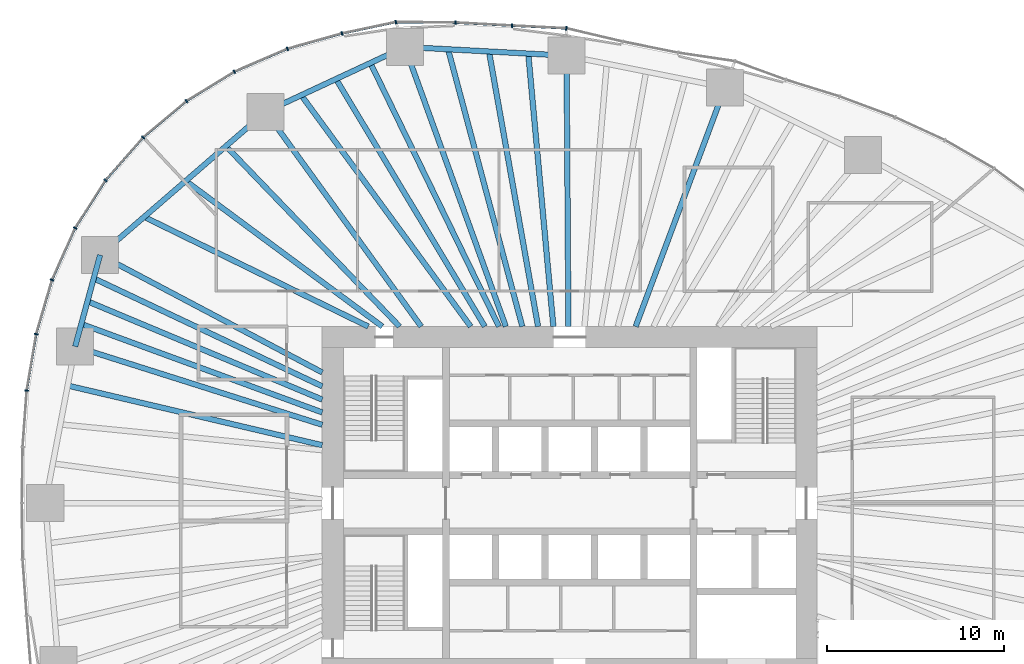
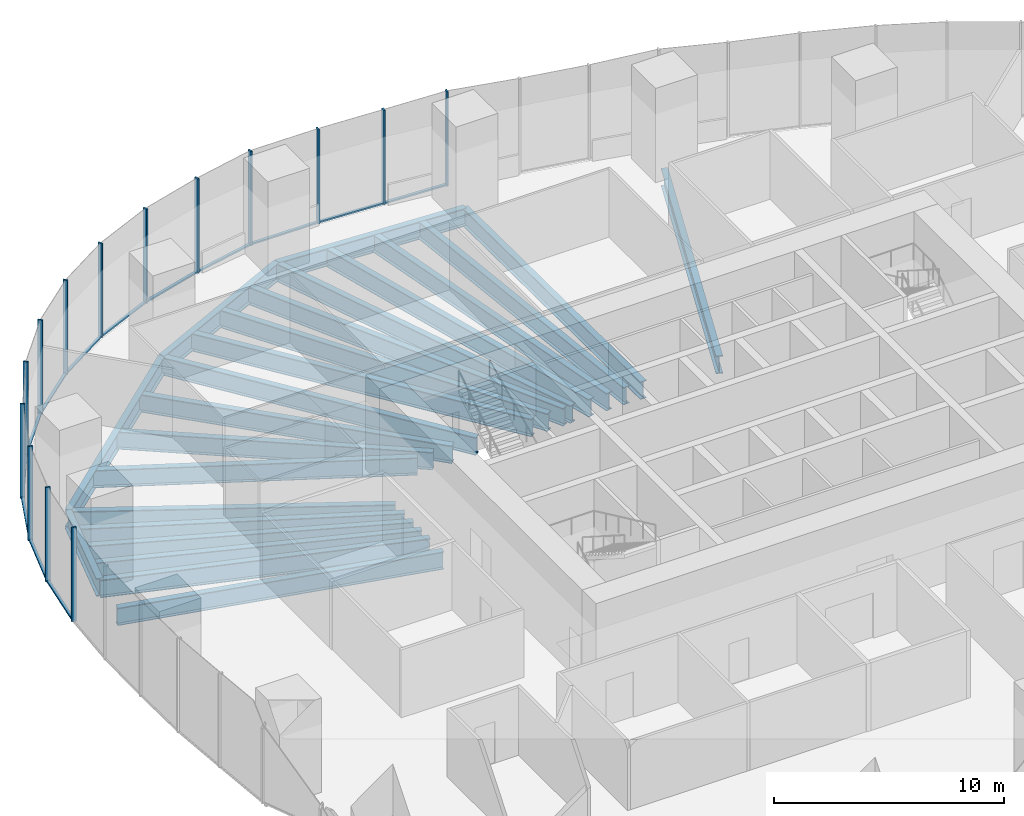
# One storey, part 5 of 20: 27 members, 23 beams, 5 elements without a shape of their own.
"""IFC4 building model written with IfcOpenShell, lengths in metres."""

from ifc_helpers import new_model, si_unit, direction, frame, origin, origin_2d, place, context, subcontext, project, spatial, rectangle, i_section, extrude, material, material_profile, profile_set, type_object, element, aggregate, save


model = new_model("IFC4")

# Units and contexts
model_context = context("Model", 3, precision=1e-05, world=origin(), true_north=direction((0.0, 1.0)))
body_context = subcontext(model_context, "Body", "Model", "MODEL_VIEW")
ifc_project = project(units=[si_unit("LENGTHUNIT", "METRE"), si_unit("AREAUNIT", "SQUARE_METRE"), si_unit("VOLUMEUNIT", "CUBIC_METRE"), si_unit("PLANEANGLEUNIT", "RADIAN"), si_unit("MASSUNIT", "GRAM", prefix="KILO")], contexts=[model_context])

# Site, building, storey
site_placement = place(None, origin())
site = spatial("IfcSite", under=ifc_project, at=site_placement, CompositionType="ELEMENT")
building_placement = place(site_placement, origin())
building = spatial("IfcBuilding", under=site, at=building_placement, Name="Ghaith Harvest Tower", CompositionType="ELEMENT")
storey_placement = place(building_placement, frame((0.0, 0.0, 35.0)))
storey = spatial("IfcBuildingStorey", under=building, at=storey_placement, Name="L07", CompositionType="ELEMENT", Elevation=35.0)

# Curtain wall, members
ifc_material_1 = material(Name="Black anodised aluminium and fritted glass", Category="aluminium")
curtain_wall_type = type_object("IfcCurtainWallType", Name="CW-F CURTAIN WALL", PredefinedType="NOTDEFINED", material=ifc_material_1)
curtain_wall_1_placement = place(storey_placement, origin())
curtain_wall_1 = element("IfcCurtainWall", 1, at=curtain_wall_1_placement, inside=storey, type_object=curtain_wall_type, Name="Curtain wall CW-F bay 06 L07", PredefinedType="NOTDEFINED")
ifc_material_2 = material(Name="Aluminium, black anodised", Category="aluminium")
ifc_material_profile_1 = material_profile(ifc_material_2, rectangle(XDim=0.080078125, YDim=0.219970703125, at=origin_2d()), Name="CW-F MULLION 80x220")
ifc_profile_set_1 = profile_set([ifc_material_profile_1], Name="Aluminium, black anodised")
member_type_1 = type_object("IfcMemberType", Name="CW-F MULLION 80x220", PredefinedType="MULLION", material=ifc_profile_set_1)
member_1_placement = place(storey_placement, frame((-0.183837890625, 26.877197265625, 0.0), z_axis=(0.0, 0.0, 1.0), x_axis=(-0.98971187143, 0.143074845976, 0.0)))
member_1 = element("IfcMember", 2, at=member_1_placement, type_object=member_type_1, Name="CW-F mullion 1 bay 06 L07", PredefinedType="MULLION", context=body_context, shape_type="SweptSolid", body=[
    extrude(rectangle(XDim=0.080078125, YDim=0.219970703125, at=origin_2d()), origin(), (0.0, 0.0, 1.0), 5.0),
])
member_2_placement = place(storey_placement, frame((-3.261962890625, 27.02978515625, 0.0), z_axis=(0.0, 0.0, 1.0), x_axis=(-0.998666923291, 0.051617597049, 0.0)))
member_2 = element("IfcMember", 3, at=member_2_placement, type_object=member_type_1, Name="CW-F mullion 2 bay 06 L07", PredefinedType="MULLION", context=body_context, shape_type="SweptSolid", body=[
    extrude(rectangle(XDim=0.080078125, YDim=0.219970703125, at=origin_2d()), origin(), (0.0, 0.0, 1.0), 5.0),
])
member_3_placement = place(storey_placement, frame((-6.465087890625, 27.20166015625, 0.0), z_axis=(0.0, 0.0, 1.0), x_axis=(-0.999527102163, 0.030750155138, 0.0)))
member_3 = element("IfcMember", 4, at=member_3_placement, type_object=member_type_1, Name="CW-F mullion 3 bay 06 L07", PredefinedType="MULLION", context=body_context, shape_type="SweptSolid", body=[
    extrude(rectangle(XDim=0.080078125, YDim=0.219970703125, at=origin_2d()), origin(), (0.0, 0.0, 1.0), 5.0),
])

curtain_wall_2_placement = place(storey_placement, origin())
curtain_wall_2 = element("IfcCurtainWall", 5, at=curtain_wall_2_placement, inside=storey, type_object=curtain_wall_type, Name="Curtain wall CW-F bay 07 L07", PredefinedType="NOTDEFINED")
member_4_placement = place(storey_placement, frame((-9.835693359375, 27.232177734375, 0.0), z_axis=(0.0, 0.0, 1.0), x_axis=(-0.995408459337, -0.095718332001, 0.0)))
member_4 = element("IfcMember", 6, at=member_4_placement, type_object=member_type_1, Name="CW-F mullion 1 bay 07 L07", PredefinedType="MULLION", context=body_context, shape_type="SweptSolid", body=[
    extrude(rectangle(XDim=0.080078125, YDim=0.219970703125, at=origin_2d()), origin(), (0.0, 0.0, 1.0), 5.0),
])
member_5_placement = place(storey_placement, frame((-12.880615234375, 26.5849609375, 0.0), z_axis=(0.0, 0.0, 1.0), x_axis=(-0.970824511782, -0.239791091, 0.0)))
member_5 = element("IfcMember", 7, at=member_5_placement, type_object=member_type_1, Name="CW-F mullion 2 bay 07 L07", PredefinedType="MULLION", context=body_context, shape_type="SweptSolid", body=[
    extrude(rectangle(XDim=0.080078125, YDim=0.219970703125, at=origin_2d()), origin(), (0.0, 0.0, 1.0), 5.0),
])
member_6_placement = place(storey_placement, frame((-15.97119140625, 25.716552734375, 0.0), z_axis=(0.0, 0.0, 1.0), x_axis=(-0.942293550527, -0.334787790451, 0.0)))
member_6 = element("IfcMember", 8, at=member_6_placement, type_object=member_type_1, Name="CW-F mullion 3 bay 07 L07", PredefinedType="MULLION", context=body_context, shape_type="SweptSolid", body=[
    extrude(rectangle(XDim=0.080078125, YDim=0.219970703125, at=origin_2d()), origin(), (0.0, 0.0, 1.0), 5.0),
])

curtain_wall_3_placement = place(storey_placement, origin())
curtain_wall_3 = element("IfcCurtainWall", 9, at=curtain_wall_3_placement, inside=storey, type_object=curtain_wall_type, Name="Curtain wall CW-F bay 08 L07", PredefinedType="NOTDEFINED")
member_7_placement = place(storey_placement, frame((-18.96728515625, 24.42236328125, 0.0), z_axis=(0.0, 0.0, 1.0), x_axis=(-0.887912253252, -0.460012859086, 0.0)))
member_7 = element("IfcMember", 10, at=member_7_placement, type_object=member_type_1, Name="CW-F mullion 1 bay 08 L07", PredefinedType="MULLION", context=body_context, shape_type="SweptSolid", body=[
    extrude(rectangle(XDim=0.080078125, YDim=0.219970703125, at=origin_2d()), origin(), (0.0, 0.0, 1.0), 5.0),
])
member_8_placement = place(storey_placement, frame((-21.681640625, 22.758056640625, 0.0), z_axis=(0.0, 0.0, 1.0), x_axis=(-0.811400750439, -0.584490224202, 0.0)))
member_8 = element("IfcMember", 11, at=member_8_placement, type_object=member_type_1, Name="CW-F mullion 2 bay 08 L07", PredefinedType="MULLION", context=body_context, shape_type="SweptSolid", body=[
    extrude(rectangle(XDim=0.080078125, YDim=0.219970703125, at=origin_2d()), origin(), (0.0, 0.0, 1.0), 5.0),
])
member_9_placement = place(storey_placement, frame((-24.139404296875, 20.696533203125, 0.0), z_axis=(0.0, 0.0, 1.0), x_axis=(-0.714663248213, -0.699468685256, 0.0)))
member_9 = element("IfcMember", 12, at=member_9_placement, type_object=member_type_1, Name="CW-F mullion 3 bay 08 L07", PredefinedType="MULLION", context=body_context, shape_type="SweptSolid", body=[
    extrude(rectangle(XDim=0.080078125, YDim=0.219970703125, at=origin_2d()), origin(), (0.0, 0.0, 1.0), 5.0),
])

curtain_wall_4_placement = place(storey_placement, origin())
curtain_wall_4 = element("IfcCurtainWall", 13, at=curtain_wall_4_placement, inside=storey, type_object=curtain_wall_type, Name="Curtain wall CW-F bay 09 L07", PredefinedType="NOTDEFINED")
member_10_placement = place(storey_placement, frame((-26.26318359375, 18.274169921875, 0.0), z_axis=(0.0, 0.0, 1.0), x_axis=(-0.599861600644, -0.800103780814, 0.0)))
member_10 = element("IfcMember", 14, at=member_10_placement, type_object=member_type_1, Name="CW-F mullion 1 bay 09 L07", PredefinedType="MULLION", context=body_context, shape_type="SweptSolid", body=[
    extrude(rectangle(XDim=0.080078125, YDim=0.219970703125, at=origin_2d()), origin(), (0.0, 0.0, 1.0), 5.0),
])
member_11_placement = place(storey_placement, frame((-27.986328125, 15.5654296875, 0.0), z_axis=(0.0, 0.0, 1.0), x_axis=(-0.473265082758, -0.880920065297, 0.0)))
member_11 = element("IfcMember", 15, at=member_11_placement, type_object=member_type_1, Name="CW-F mullion 2 bay 09 L07", PredefinedType="MULLION", context=body_context, shape_type="SweptSolid", body=[
    extrude(rectangle(XDim=0.080078125, YDim=0.219970703125, at=origin_2d()), origin(), (0.0, 0.0, 1.0), 5.0),
])
member_12_placement = place(storey_placement, frame((-29.29248046875, 12.63525390625, 0.0), z_axis=(0.0, 0.0, 1.0), x_axis=(-0.344618322502, -0.938742889079, 0.0)))
member_12 = element("IfcMember", 16, at=member_12_placement, type_object=member_type_1, Name="CW-F mullion 3 bay 09 L07", PredefinedType="MULLION", context=body_context, shape_type="SweptSolid", body=[
    extrude(rectangle(XDim=0.080078125, YDim=0.219970703125, at=origin_2d()), origin(), (0.0, 0.0, 1.0), 5.0),
])

curtain_wall_5_placement = place(storey_placement, origin())
curtain_wall_5 = element("IfcCurtainWall", 17, at=curtain_wall_5_placement, inside=storey, type_object=curtain_wall_type, Name="Curtain wall CW-F bay 10 L07", PredefinedType="NOTDEFINED")
member_13_placement = place(storey_placement, frame((-30.1884765625, 9.567138671875, 0.0), z_axis=(0.0, 0.0, 1.0), x_axis=(-0.222967363645, -0.97482590997, 0.0)))
member_13 = element("IfcMember", 18, at=member_13_placement, type_object=member_type_1, Name="CW-F mullion 1 bay 10 L07", PredefinedType="MULLION", context=body_context, shape_type="SweptSolid", body=[
    extrude(rectangle(XDim=0.080078125, YDim=0.219970703125, at=origin_2d()), origin(), (0.0, 0.0, 1.0), 5.0),
])
member_14_placement = place(storey_placement, frame((-30.724365234375, 6.37548828125, 0.0), z_axis=(0.0, 0.0, 1.0), x_axis=(-0.119352816132, -0.99285190501, 0.0)))
member_14 = element("IfcMember", 19, at=member_14_placement, type_object=member_type_1, Name="CW-F mullion 2 bay 10 L07", PredefinedType="MULLION", context=body_context, shape_type="SweptSolid", body=[
    extrude(rectangle(XDim=0.080078125, YDim=0.219970703125, at=origin_2d()), origin(), (0.0, 0.0, 1.0), 5.0),
])

# Member
ifc_material_3 = material(Name="Aluminium, black anodised", Category="aluminium")
ifc_material_profile_2 = material_profile(ifc_material_3, rectangle(XDim=0.139892578125, YDim=0.080078125, at=origin_2d()), Name="CW-F TRANSOM 140x80")
ifc_profile_set_2 = profile_set([ifc_material_profile_2], Name="Aluminium, black anodised")
member_type_2 = type_object("IfcMemberType", Name="CW-F TRANSOM 140x80", PredefinedType="USERDEFINED", material=ifc_profile_set_2)
member_15_placement = place(storey_placement, frame((-0.223876953125, 26.879150390625, 0.0400390625), z_axis=(-0.998772539109, 0.049531960612, 0.0), x_axis=(-0.049531960612, -0.998772539109, 0.0)))
member_15 = element("IfcMember", 20, at=member_15_placement, type_object=member_type_2, Name="CW-F transom 1 bay 06 L07", ObjectType="TRANSOM", PredefinedType="USERDEFINED", context=body_context, shape_type="SweptSolid", body=[
    extrude(rectangle(XDim=0.139892578125, YDim=0.080078125, at=origin_2d()), origin(), (0.0, 0.0, 1.0), 3.001708984375),
])

member_16_placement = place(storey_placement, frame((-3.3017578125, 27.031982421875, 0.0400390625), z_axis=(-0.99856142387, 0.053619798202, 0.0), x_axis=(-0.053619798202, -0.99856142387, 0.0)))
member_16 = element("IfcMember", 21, at=member_16_placement, type_object=member_type_2, Name="CW-F transom 2 bay 06 L07", ObjectType="TRANSOM", PredefinedType="USERDEFINED", context=body_context, shape_type="SweptSolid", body=[
    extrude(rectangle(XDim=0.139892578125, YDim=0.080078125, at=origin_2d()), origin(), (0.0, 0.0, 1.0), 3.1279296875),
])

member_17_placement = place(storey_placement, frame((-6.505126953125, 27.2021484375, 0.0400390625), z_axis=(-0.999959703847, 0.008977231352, 0.0), x_axis=(-0.008977231352, -0.999959703847, 0.0)))
member_17 = element("IfcMember", 22, at=member_17_placement, type_object=member_type_2, Name="CW-F transom 3 bay 06 L07", ObjectType="TRANSOM", PredefinedType="USERDEFINED", context=body_context, shape_type="SweptSolid", body=[
    extrude(rectangle(XDim=0.139892578125, YDim=0.080078125, at=origin_2d()), origin(), (0.0, 0.0, 1.0), 3.290771484375),
])

aggregate(curtain_wall_1, [member_1, member_15, member_2, member_16, member_3, member_17])

member_18_placement = place(storey_placement, frame((-9.874755859375, 27.2236328125, 0.0400390625), z_axis=(-0.978160283029, -0.207852016359, 0.0), x_axis=(0.207852016359, -0.978160283029, 0.0)))
member_18 = element("IfcMember", 23, at=member_18_placement, type_object=member_type_2, Name="CW-F transom 1 bay 07 L07", ObjectType="TRANSOM", PredefinedType="USERDEFINED", context=body_context, shape_type="SweptSolid", body=[
    extrude(rectangle(XDim=0.139892578125, YDim=0.080078125, at=origin_2d()), origin(), (0.0, 0.0, 1.0), 3.03271484375),
])

member_19_placement = place(storey_placement, frame((-12.9189453125, 26.573974609375, 0.0400390625), z_axis=(-0.962727128991, -0.270474536888, 0.0), x_axis=(0.270474536888, -0.962727128991, 0.0)))
member_19 = element("IfcMember", 24, at=member_19_placement, type_object=member_type_2, Name="CW-F transom 2 bay 07 L07", ObjectType="TRANSOM", PredefinedType="USERDEFINED", context=body_context, shape_type="SweptSolid", body=[
    extrude(rectangle(XDim=0.139892578125, YDim=0.080078125, at=origin_2d()), origin(), (0.0, 0.0, 1.0), 3.13037109375),
])

member_20_placement = place(storey_placement, frame((-16.008056640625, 25.70068359375, 0.0400390625), z_axis=(-0.9180027124, -0.396574104079, 0.0), x_axis=(0.396574104079, -0.9180027124, 0.0)))
member_20 = element("IfcMember", 25, at=member_20_placement, type_object=member_type_2, Name="CW-F transom 3 bay 07 L07", ObjectType="TRANSOM", PredefinedType="USERDEFINED", context=body_context, shape_type="SweptSolid", body=[
    extrude(rectangle(XDim=0.139892578125, YDim=0.080078125, at=origin_2d()), origin(), (0.0, 0.0, 1.0), 3.183349609375),
])

aggregate(curtain_wall_2, [member_4, member_18, member_5, member_19, member_6, member_20])

member_21_placement = place(storey_placement, frame((-19.001220703125, 24.4013671875, 0.0400390625), z_axis=(-0.852561687195, -0.522626606219, 0.0), x_axis=(0.522626606219, -0.852561687195, 0.0)))
member_21 = element("IfcMember", 26, at=member_21_placement, type_object=member_type_2, Name="CW-F transom 1 bay 08 L07", ObjectType="TRANSOM", PredefinedType="USERDEFINED", context=body_context, shape_type="SweptSolid", body=[
    extrude(rectangle(XDim=0.139892578125, YDim=0.080078125, at=origin_2d()), origin(), (0.0, 0.0, 1.0), 3.104248046875),
])

member_22_placement = place(storey_placement, frame((-21.71240234375, 22.732421875, 0.0400390625), z_axis=(-0.766144434184, -0.642668426149, 0.0), x_axis=(0.642668426149, -0.766144434184, 0.0)))
member_22 = element("IfcMember", 27, at=member_22_placement, type_object=member_type_2, Name="CW-F transom 2 bay 08 L07", ObjectType="TRANSOM", PredefinedType="USERDEFINED", context=body_context, shape_type="SweptSolid", body=[
    extrude(rectangle(XDim=0.139892578125, YDim=0.080078125, at=origin_2d()), origin(), (0.0, 0.0, 1.0), 3.1279296875),
])

member_23_placement = place(storey_placement, frame((-24.165771484375, 20.66650390625, 0.0400390625), z_axis=(-0.65923052982, -0.751940894322, 0.0), x_axis=(0.751940894322, -0.65923052982, 0.0)))
member_23 = element("IfcMember", 28, at=member_23_placement, type_object=member_type_2, Name="CW-F transom 3 bay 08 L07", ObjectType="TRANSOM", PredefinedType="USERDEFINED", context=body_context, shape_type="SweptSolid", body=[
    extrude(rectangle(XDim=0.139892578125, YDim=0.080078125, at=origin_2d()), origin(), (0.0, 0.0, 1.0), 3.1416015625),
])

aggregate(curtain_wall_3, [member_7, member_21, member_8, member_22, member_9, member_23])

member_24_placement = place(storey_placement, frame((-26.28466796875, 18.240234375, 0.0400390625), z_axis=(-0.536754366643, -0.843738555412, 0.0), x_axis=(0.843738555412, -0.536754366643, 0.0)))
member_24 = element("IfcMember", 29, at=member_24_placement, type_object=member_type_2, Name="CW-F transom 1 bay 09 L07", ObjectType="TRANSOM", PredefinedType="USERDEFINED", context=body_context, shape_type="SweptSolid", body=[
    extrude(rectangle(XDim=0.139892578125, YDim=0.080078125, at=origin_2d()), origin(), (0.0, 0.0, 1.0), 3.13037109375),
])

member_25_placement = place(storey_placement, frame((-28.002685546875, 15.52880859375, 0.0400390625), z_axis=(-0.407123143204, -0.913373278714, 0.0), x_axis=(0.913373278714, -0.407123143204, 0.0)))
member_25 = element("IfcMember", 30, at=member_25_placement, type_object=member_type_2, Name="CW-F transom 2 bay 09 L07", ObjectType="TRANSOM", PredefinedType="USERDEFINED", context=body_context, shape_type="SweptSolid", body=[
    extrude(rectangle(XDim=0.139892578125, YDim=0.080078125, at=origin_2d()), origin(), (0.0, 0.0, 1.0), 3.1279296875),
])

member_26_placement = place(storey_placement, frame((-29.3037109375, 12.596923828125, 0.0400390625), z_axis=(-0.280324903873, -0.959905176707, 0.0), x_axis=(0.959905176707, -0.280324903873, 0.0)))
member_26 = element("IfcMember", 31, at=member_26_placement, type_object=member_type_2, Name="CW-F transom 3 bay 09 L07", ObjectType="TRANSOM", PredefinedType="USERDEFINED", context=body_context, shape_type="SweptSolid", body=[
    extrude(rectangle(XDim=0.139892578125, YDim=0.080078125, at=origin_2d()), origin(), (0.0, 0.0, 1.0), 3.1162109375),
])

aggregate(curtain_wall_4, [member_10, member_24, member_11, member_25, member_12, member_26])

member_27_placement = place(storey_placement, frame((-30.195068359375, 9.52783203125, 0.0400390625), z_axis=(-0.165527763099, -0.986205130611, 0.0), x_axis=(0.986205130611, -0.165527763099, 0.0)))
member_27 = element("IfcMember", 32, at=member_27_placement, type_object=member_type_2, Name="CW-F transom 1 bay 10 L07", ObjectType="TRANSOM", PredefinedType="USERDEFINED", context=body_context, shape_type="SweptSolid", body=[
    extrude(rectangle(XDim=0.139892578125, YDim=0.080078125, at=origin_2d()), origin(), (0.0, 0.0, 1.0), 3.15625),
])

aggregate(curtain_wall_5, [member_13, member_27, member_14])

# Beams
ifc_material_4 = material(Name="Steel ASTM A992 Grade 50", Category="steel")
ifc_material_profile_3 = material_profile(ifc_material_4, i_section(OverallWidth=0.306884765625, OverallDepth=0.94189453125, WebThickness=0.022216796875, FlangeThickness=0.039794921875, at=origin_2d()), Name="W920X345")
ifc_profile_set_3 = profile_set([ifc_material_profile_3], Name="Steel ASTM A992 Grade 50")
beam_type_1 = type_object("IfcBeamType", Name="E920-345 W920X345", PredefinedType="SPANDREL", material=ifc_profile_set_3)
beam_1_placement = place(storey_placement, frame((-0.173095703125, 25.326904296875, -0.6708984375), z_axis=(-0.998545840532, 0.053909223293, 0.0), x_axis=(-0.053909223293, -0.998545840532, 0.0)))
element("IfcBeam", 33, at=beam_1_placement, inside=storey, type_object=beam_type_1, Name="Edge beam E06 L07", PredefinedType="SPANDREL", context=body_context, shape_type="SweptSolid", body=[
    extrude(i_section(OverallWidth=0.306884765625, OverallDepth=0.94189453125, WebThickness=0.022216796875, FlangeThickness=0.039794921875, at=origin_2d()), origin(), (0.0, 0.0, 1.0), 9.166259765625),
])
beam_2_placement = place(storey_placement, frame((-9.325927734375, 25.821044921875, -0.6708984375), z_axis=(-0.906373259523, -0.422477827137, 0.0), x_axis=(0.422477827137, -0.906373259523, 0.0)))
element("IfcBeam", 34, at=beam_2_placement, inside=storey, type_object=beam_type_1, Name="Edge beam E07 L07", PredefinedType="SPANDREL", context=body_context, shape_type="SweptSolid", body=[
    extrude(i_section(OverallWidth=0.306884765625, OverallDepth=0.94189453125, WebThickness=0.022216796875, FlangeThickness=0.039794921875, at=origin_2d()), origin(), (0.0, 0.0, 1.0), 8.689453125),
])
beam_3_placement = place(storey_placement, frame((-17.201904296875, 22.14990234375, -0.6708984375), z_axis=(-0.756392158274, -0.654118416574, 0.0), x_axis=(0.654118416574, -0.756392158274, 0.0)))
element("IfcBeam", 35, at=beam_3_placement, inside=storey, type_object=beam_type_1, Name="Edge beam E08 L07", PredefinedType="SPANDREL", context=body_context, shape_type="SweptSolid", body=[
    extrude(i_section(OverallWidth=0.306884765625, OverallDepth=0.94189453125, WebThickness=0.022216796875, FlangeThickness=0.039794921875, at=origin_2d()), origin(), (0.0, 0.0, 1.0), 12.38916015625),
])
beam_4_placement = place(storey_placement, frame((-26.572998046875, 14.0458984375, -0.6708984375), z_axis=(-0.262724740433, -0.964870825947, 0.0), x_axis=(0.964870825947, -0.262724740433, 0.0)))
element("IfcBeam", 36, at=beam_4_placement, inside=storey, type_object=beam_type_1, Name="Edge beam E09 L07", PredefinedType="SPANDREL", context=body_context, shape_type="SweptSolid", body=[
    extrude(i_section(OverallWidth=0.306884765625, OverallDepth=0.94189453125, WebThickness=0.022216796875, FlangeThickness=0.039794921875, at=origin_2d()), origin(), (0.0, 0.0, 1.0), 5.366455078125),
])
ifc_material_5 = material(Name="Steel ASTM A992 Grade 50", Category="steel")
ifc_material_profile_4 = material_profile(ifc_material_5, i_section(OverallWidth=0.306884765625, OverallDepth=0.94189453125, WebThickness=0.022216796875, FlangeThickness=0.039794921875, at=origin_2d()), Name="W920X345")
ifc_profile_set_4 = profile_set([ifc_material_profile_4], Name="Steel ASTM A992 Grade 50")
beam_type_2 = type_object("IfcBeamType", Name="G920-345 W920X345", PredefinedType="BEAM", material=ifc_profile_set_4)
beam_5_placement = place(storey_placement, frame((3.73828125, 10.0, -0.6708984375), z_axis=(0.350150596156, 0.936693418367, 0.0), x_axis=(-0.936693418367, 0.350150596156, 0.0)))
element("IfcBeam", 37, at=beam_5_placement, inside=storey, type_object=beam_type_2, Name="Radial girder G05 L07", PredefinedType="BEAM", context=body_context, shape_type="SweptSolid", body=[
    extrude(i_section(OverallWidth=0.306884765625, OverallDepth=0.94189453125, WebThickness=0.022216796875, FlangeThickness=0.039794921875, at=origin_2d()), origin(), (0.0, 0.0, 1.0), 14.44140625),
])
beam_6_placement = place(storey_placement, frame((-0.068359375, 10.0, -0.6708984375), z_axis=(-0.006833335732, 0.999976652489, 0.0), x_axis=(-0.999976652489, -0.006833335732, 0.0)))
element("IfcBeam", 38, at=beam_6_placement, inside=storey, type_object=beam_type_2, Name="Radial girder G06 L07", PredefinedType="BEAM", context=body_context, shape_type="SweptSolid", body=[
    extrude(i_section(OverallWidth=0.306884765625, OverallDepth=0.94189453125, WebThickness=0.022216796875, FlangeThickness=0.039794921875, at=origin_2d()), origin(), (0.0, 0.0, 1.0), 15.3271484375),
])
beam_7_placement = place(storey_placement, frame((-3.61181640625, 10.0, -0.6708984375), z_axis=(-0.339694751271, 0.940535738799, 0.0), x_axis=(-0.940535738799, -0.339694751271, 0.0)))
element("IfcBeam", 39, at=beam_7_placement, inside=storey, type_object=beam_type_2, Name="Radial girder G07 L07", PredefinedType="BEAM", context=body_context, shape_type="SweptSolid", body=[
    extrude(i_section(OverallWidth=0.306884765625, OverallDepth=0.94189453125, WebThickness=0.022216796875, FlangeThickness=0.039794921875, at=origin_2d()), origin(), (0.0, 0.0, 1.0), 16.8212890625),
])
beam_8_placement = place(storey_placement, frame((-8.39990234375, 10.0, -0.6708984375), z_axis=(-0.586675813287, 0.809821887889, 0.0), x_axis=(-0.809821887889, -0.586675813287, 0.0)))
element("IfcBeam", 40, at=beam_8_placement, inside=storey, type_object=beam_type_2, Name="Radial girder G08 L07", PredefinedType="BEAM", context=body_context, shape_type="SweptSolid", body=[
    extrude(i_section(OverallWidth=0.306884765625, OverallDepth=0.94189453125, WebThickness=0.022216796875, FlangeThickness=0.039794921875, at=origin_2d()), origin(), (0.0, 0.0, 1.0), 15.003173828125),
])
beam_9_placement = place(storey_placement, frame((-14.0, 7.39990234375, -0.6708984375), z_axis=(-0.88408713845, 0.467322085533, 0.0), x_axis=(-0.467322085533, -0.88408713845, 0.0)))
element("IfcBeam", 41, at=beam_9_placement, inside=storey, type_object=beam_type_2, Name="Radial girder G09 L07", PredefinedType="BEAM", context=body_context, shape_type="SweptSolid", body=[
    extrude(i_section(OverallWidth=0.306884765625, OverallDepth=0.94189453125, WebThickness=0.022216796875, FlangeThickness=0.039794921875, at=origin_2d()), origin(), (0.0, 0.0, 1.0), 14.221435546875),
])
beam_10_placement = place(storey_placement, frame((-14.0, 4.43701171875, -0.6708984375), z_axis=(-0.953283605796, 0.302076756671, 0.0), x_axis=(-0.302076756671, -0.953283605796, 0.0)))
element("IfcBeam", 42, at=beam_10_placement, inside=storey, type_object=beam_type_2, Name="Radial girder G10 L07", PredefinedType="BEAM", context=body_context, shape_type="SweptSolid", body=[
    extrude(i_section(OverallWidth=0.306884765625, OverallDepth=0.94189453125, WebThickness=0.022216796875, FlangeThickness=0.039794921875, at=origin_2d()), origin(), (0.0, 0.0, 1.0), 14.668212890625),
])
ifc_material_6 = material(Name="Steel ASTM A992 Grade 50", Category="steel")
ifc_material_profile_5 = material_profile(ifc_material_6, i_section(OverallWidth=0.31005859375, OverallDepth=0.927001953125, WebThickness=0.019287109375, FlangeThickness=0.031982421875, at=origin_2d()), Name="W920X289")
ifc_profile_set_5 = profile_set([ifc_material_profile_5], Name="Steel ASTM A992 Grade 50")
beam_type_3 = type_object("IfcBeamType", Name="J920-289 W920X289", PredefinedType="JOIST", material=ifc_profile_set_5)
beam_11_placement = place(storey_placement, frame((-0.92041015625, 10.0, -0.66357421875), z_axis=(-0.091647013776, 0.995791556936, 0.0), x_axis=(-0.995791556936, -0.091647013776, 0.0)))
element("IfcBeam", 43, at=beam_11_placement, inside=storey, type_object=beam_type_3, Name="Joist J06.1 L07", PredefinedType="JOIST", context=body_context, shape_type="SweptSolid", body=[
    extrude(i_section(OverallWidth=0.31005859375, OverallDepth=0.927001953125, WebThickness=0.019287109375, FlangeThickness=0.031982421875, at=origin_2d()), origin(), (0.0, 0.0, 1.0), 15.50927734375),
])
beam_12_placement = place(storey_placement, frame((-1.785888671875, 10.0, -0.66357421875), z_axis=(-0.175789035136, 0.984427861819, 0.0), x_axis=(-0.984427861819, -0.175789035136, 0.0)))
element("IfcBeam", 44, at=beam_12_placement, inside=storey, type_object=beam_type_3, Name="Joist J06.2 L07", PredefinedType="JOIST", context=body_context, shape_type="SweptSolid", body=[
    extrude(i_section(OverallWidth=0.31005859375, OverallDepth=0.927001953125, WebThickness=0.019287109375, FlangeThickness=0.031982421875, at=origin_2d()), origin(), (0.0, 0.0, 1.0), 15.810302734375),
])
beam_13_placement = place(storey_placement, frame((-10.60009765625, 10.0, -0.66357421875), z_axis=(-0.803663089107, 0.595084564752, 0.0), x_axis=(-0.595084564752, -0.803663089107, 0.0)))
element("IfcBeam", 45, at=beam_13_placement, inside=storey, type_object=beam_type_3, Name="Joist J08.2 L07", PredefinedType="JOIST", context=body_context, shape_type="SweptSolid", body=[
    extrude(i_section(OverallWidth=0.31005859375, OverallDepth=0.927001953125, WebThickness=0.019287109375, FlangeThickness=0.031982421875, at=origin_2d()), origin(), (0.0, 0.0, 1.0), 13.843505859375),
])
beam_14_placement = place(storey_placement, frame((-11.39990234375, 10.0, -0.66357421875), z_axis=(-0.898274832354, 0.439434096946, 0.0), x_axis=(-0.439434096946, -0.898274832354, 0.0)))
element("IfcBeam", 46, at=beam_14_placement, inside=storey, type_object=beam_type_3, Name="Joist J08.3 L07", PredefinedType="JOIST", context=body_context, shape_type="SweptSolid", body=[
    extrude(i_section(OverallWidth=0.31005859375, OverallDepth=0.927001953125, WebThickness=0.019287109375, FlangeThickness=0.031982421875, at=origin_2d()), origin(), (0.0, 0.0, 1.0), 14.114990234375),
])
beam_15_placement = place(storey_placement, frame((-14.0, 6.614990234375, -0.66357421875), z_axis=(-0.904153428261, 0.427207886354, 0.0), x_axis=(-0.427207886354, -0.904153428261, 0.0)))
element("IfcBeam", 47, at=beam_15_placement, inside=storey, type_object=beam_type_3, Name="Joist J09.1 L07", PredefinedType="JOIST", context=body_context, shape_type="SweptSolid", body=[
    extrude(i_section(OverallWidth=0.31005859375, OverallDepth=0.927001953125, WebThickness=0.019287109375, FlangeThickness=0.031982421875, at=origin_2d()), origin(), (0.0, 0.0, 1.0), 14.303466796875),
])
beam_16_placement = place(storey_placement, frame((-14.0, 5.862548828125, -0.66357421875), z_axis=(-0.922385943167, 0.38626955853, 0.0), x_axis=(-0.38626955853, -0.922385943167, 0.0)))
element("IfcBeam", 48, at=beam_16_placement, inside=storey, type_object=beam_type_3, Name="Joist J09.2 L07", PredefinedType="JOIST", context=body_context, shape_type="SweptSolid", body=[
    extrude(i_section(OverallWidth=0.31005859375, OverallDepth=0.927001953125, WebThickness=0.019287109375, FlangeThickness=0.031982421875, at=origin_2d()), origin(), (0.0, 0.0, 1.0), 14.404296875),
])
beam_17_placement = place(storey_placement, frame((-14.0, 5.137939453125, -0.66357421875), z_axis=(-0.93877541132, 0.344529718748, 0.0), x_axis=(-0.344529718748, -0.93877541132, 0.0)))
element("IfcBeam", 49, at=beam_17_placement, inside=storey, type_object=beam_type_3, Name="Joist J09.3 L07", PredefinedType="JOIST", context=body_context, shape_type="SweptSolid", body=[
    extrude(i_section(OverallWidth=0.31005859375, OverallDepth=0.927001953125, WebThickness=0.019287109375, FlangeThickness=0.031982421875, at=origin_2d()), origin(), (0.0, 0.0, 1.0), 14.525390625),
])
beam_18_placement = place(storey_placement, frame((-14.0, 3.280517578125, -0.66357421875), z_axis=(-0.973623012228, 0.228162727151, 0.0), x_axis=(-0.228162727151, -0.973623012228, 0.0)))
element("IfcBeam", 50, at=beam_18_placement, inside=storey, type_object=beam_type_3, Name="Joist J10.1 L07", PredefinedType="JOIST", context=body_context, shape_type="SweptSolid", body=[
    extrude(i_section(OverallWidth=0.31005859375, OverallDepth=0.927001953125, WebThickness=0.019287109375, FlangeThickness=0.031982421875, at=origin_2d()), origin(), (0.0, 0.0, 1.0), 14.795166015625),
])
ifc_material_7 = material(Name="Steel ASTM A992 Grade 50", Category="steel")
ifc_material_profile_6 = material_profile(ifc_material_7, i_section(OverallWidth=0.306884765625, OverallDepth=0.94189453125, WebThickness=0.022216796875, FlangeThickness=0.039794921875, at=origin_2d()), Name="W920X345")
ifc_profile_set_6 = profile_set([ifc_material_profile_6], Name="Steel ASTM A992 Grade 50")
beam_type_4 = type_object("IfcBeamType", Name="J920-345 W920X345", PredefinedType="JOIST", material=ifc_profile_set_6)
beam_19_placement = place(storey_placement, frame((-2.677978515625, 10.0, -0.6708984375), z_axis=(-0.258679482451, 0.965963211183, 0.0), x_axis=(-0.965963211183, -0.258679482451, 0.0)))
element("IfcBeam", 51, at=beam_19_placement, inside=storey, type_object=beam_type_4, Name="Joist J06.3 L07", PredefinedType="JOIST", context=body_context, shape_type="SweptSolid", body=[
    extrude(i_section(OverallWidth=0.306884765625, OverallDepth=0.94189453125, WebThickness=0.022216796875, FlangeThickness=0.039794921875, at=origin_2d()), origin(), (0.0, 0.0, 1.0), 16.24169921875),
])
beam_20_placement = place(storey_placement, frame((-4.0, 10.0, -0.6708984375), z_axis=(-0.438505380705, 0.898728563635, 0.0), x_axis=(-0.898728563635, -0.438505380705, 0.0)))
element("IfcBeam", 52, at=beam_20_placement, inside=storey, type_object=beam_type_4, Name="Joist J07.1 L07", PredefinedType="JOIST", context=body_context, shape_type="SweptSolid", body=[
    extrude(i_section(OverallWidth=0.306884765625, OverallDepth=0.94189453125, WebThickness=0.022216796875, FlangeThickness=0.039794921875, at=origin_2d()), origin(), (0.0, 0.0, 1.0), 16.592529296875),
])
beam_21_placement = place(storey_placement, frame((-4.800048828125, 10.0, -0.6708984375), z_axis=(-0.515358894704, 0.85697445099, 0.0), x_axis=(-0.85697445099, -0.515358894704, 0.0)))
element("IfcBeam", 53, at=beam_21_placement, inside=storey, type_object=beam_type_4, Name="Joist J07.2 L07", PredefinedType="JOIST", context=body_context, shape_type="SweptSolid", body=[
    extrude(i_section(OverallWidth=0.306884765625, OverallDepth=0.94189453125, WebThickness=0.022216796875, FlangeThickness=0.039794921875, at=origin_2d()), origin(), (0.0, 0.0, 1.0), 16.34228515625),
])
beam_22_placement = place(storey_placement, frame((-5.60009765625, 10.0, -0.6708984375), z_axis=(-0.591008736068, 0.806665155992, 0.0), x_axis=(-0.806665155992, -0.591008736068, 0.0)))
element("IfcBeam", 54, at=beam_22_placement, inside=storey, type_object=beam_type_4, Name="Joist J07.3 L07", PredefinedType="JOIST", context=body_context, shape_type="SweptSolid", body=[
    extrude(i_section(OverallWidth=0.306884765625, OverallDepth=0.94189453125, WebThickness=0.022216796875, FlangeThickness=0.039794921875, at=origin_2d()), origin(), (0.0, 0.0, 1.0), 16.22509765625),
])
beam_23_placement = place(storey_placement, frame((-9.626708984375, 10.0, -0.6708984375), z_axis=(-0.693535693616, 0.720422266231, 0.0), x_axis=(-0.720422266231, -0.693535693616, 0.0)))
element("IfcBeam", 55, at=beam_23_placement, inside=storey, type_object=beam_type_4, Name="Joist J08.1 L07", PredefinedType="JOIST", context=body_context, shape_type="SweptSolid", body=[
    extrude(i_section(OverallWidth=0.306884765625, OverallDepth=0.94189453125, WebThickness=0.022216796875, FlangeThickness=0.039794921875, at=origin_2d()), origin(), (0.0, 0.0, 1.0), 14.16552734375),
])

save(model, "model.ifc")
